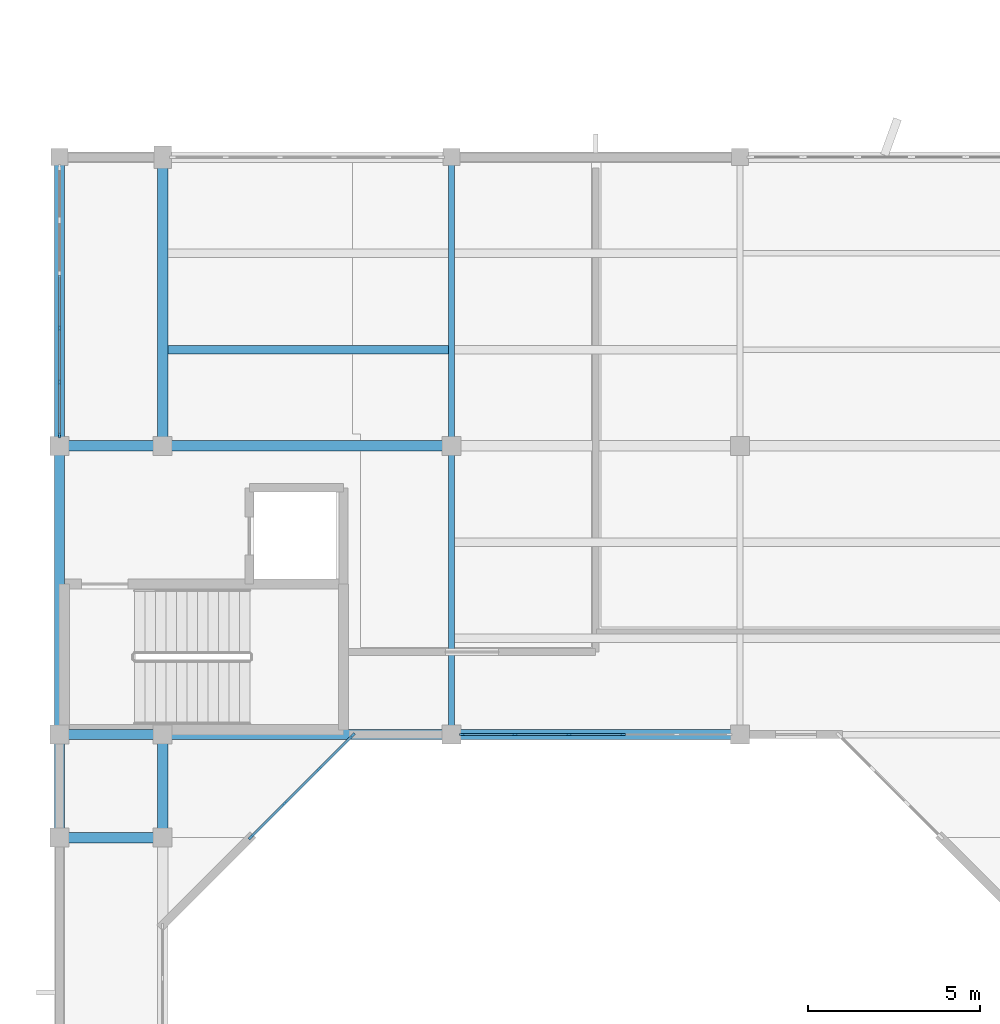
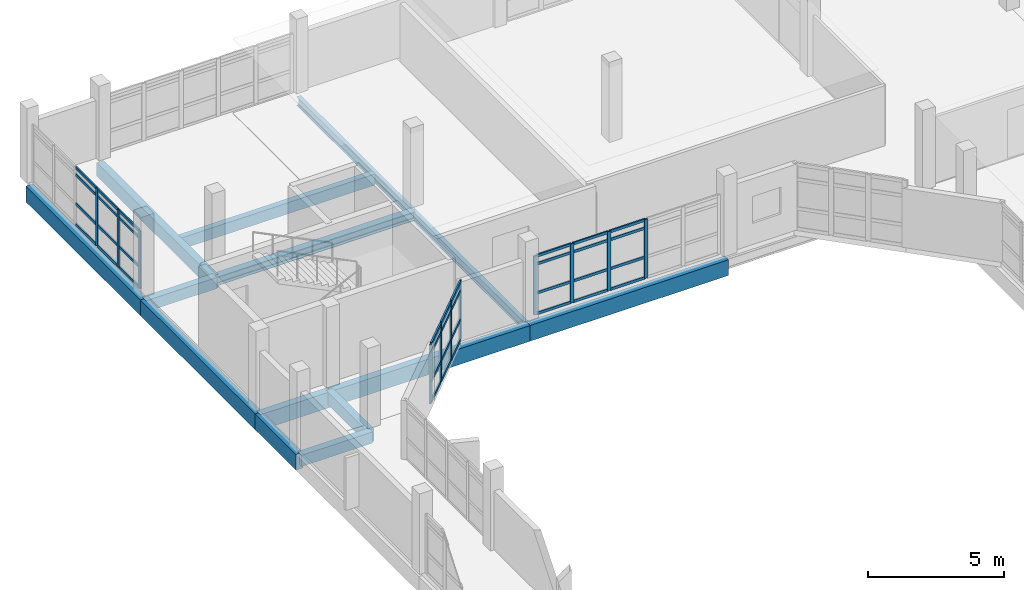
# One storey, part 15 of 51: 47 members, 14 beams, 3 elements without a shape of their own.
"""IFC4 building model written with IfcOpenShell, lengths in metres."""

from ifc_helpers import new_model, si_unit, direction, frame, origin, origin_2d, place, context, subcontext, project, spatial, rectangle, i_section, extrude, material, material_profile, profile_set, type_object, element, aggregate, save


model = new_model("IFC4")

# Units and contexts
model_context = context("Model", 3, precision=1e-05, world=origin(), true_north=direction((0.0, 1.0)))
body_context = subcontext(model_context, "Body", "Model", "MODEL_VIEW")
ifc_project = project(units=[si_unit("LENGTHUNIT", "METRE"), si_unit("AREAUNIT", "SQUARE_METRE"), si_unit("VOLUMEUNIT", "CUBIC_METRE"), si_unit("PLANEANGLEUNIT", "RADIAN"), si_unit("MASSUNIT", "GRAM", prefix="KILO")], contexts=[model_context])

# Site, building, storey
site_placement = place(None, origin())
site = spatial("IfcSite", under=ifc_project, at=site_placement, CompositionType="ELEMENT")
building_placement = place(site_placement, origin())
building = spatial("IfcBuilding", under=site, at=building_placement, Name="Vanh Quang Courtyard School", CompositionType="ELEMENT")
storey_placement = place(building_placement, frame((0.0, 0.0, 11.39990234375)))
storey = spatial("IfcBuildingStorey", under=building, at=storey_placement, Name="L03", CompositionType="ELEMENT", Elevation=11.39990234375)

# Beams
ifc_material_1 = material(Name="Concrete C35/45", Category="concrete")
ifc_material_profile_1 = material_profile(ifc_material_1, rectangle(XDim=0.300048828125, YDim=0.5, at=origin_2d()), Name="RC-BM 300x500")
ifc_profile_set_1 = profile_set([ifc_material_profile_1], Name="Concrete C35/45")
beam_type_1 = type_object("IfcBeamType", Name="BM-RC-300x500", PredefinedType="BEAM", material=ifc_profile_set_1)
for number, where, z_axis, x_axis, name in (
    (1, (37.800048828125, 68.39990234375, -0.5498046875), (1.0, 0.0, 0.0), (0.0, 1.0, 0.0), "Beam B-08 (L03)"),
    (2, (37.800048828125, 79.800048828125, -0.5498046875), (1.0, 0.0, 0.0), (0.0, 1.0, 0.0), "Beam B-08 (L03)"),
):
    element("IfcBeam", number, at=place(storey_placement, frame(where, z_axis=z_axis, x_axis=x_axis)), inside=storey, type_object=beam_type_1, Name=name, PredefinedType="BEAM", context=body_context, shape_type="SweptSolid", body=[
        extrude(rectangle(XDim=0.300048828125, YDim=0.5, at=origin_2d()), origin(), (0.0, 0.0, 1.0), 3.0),
    ])
ifc_material_profile_2 = material_profile(ifc_material_1, rectangle(XDim=0.300048828125, YDim=0.550048828125, at=origin_2d()), Name="RC-BM 300x550")
ifc_profile_set_2 = profile_set([ifc_material_profile_2], Name="Concrete C35/45")
beam_type_2 = type_object("IfcBeamType", Name="BM-RC-300x550", PredefinedType="BEAM", material=ifc_profile_set_2)
beam_1_placement = place(storey_placement, frame((40.800048828125, 68.39990234375, -0.574951171875), z_axis=(0.0, 1.0, 0.0), x_axis=(-1.0, 0.0, 0.0)))
element("IfcBeam", 3, at=beam_1_placement, inside=storey, type_object=beam_type_2, Name="Beam B-07 (L03)", PredefinedType="BEAM", context=body_context, shape_type="SweptSolid", body=[
    extrude(rectangle(XDim=0.300048828125, YDim=0.550048828125, at=origin_2d()), origin(), (0.0, 0.0, 1.0), 3.0),
])
ifc_material_profile_3 = material_profile(ifc_material_1, rectangle(XDim=0.300048828125, YDim=0.60009765625, at=origin_2d()), Name="RC-BM 300x600")
ifc_profile_set_3 = profile_set([ifc_material_profile_3], Name="Concrete C35/45")
beam_type_3 = type_object("IfcBeamType", Name="BM-RC-300x600", PredefinedType="BEAM", material=ifc_profile_set_3)
beam_2_placement = place(storey_placement, frame((40.800048828125, 79.800048828125, -0.599853515625), z_axis=(0.0, 1.0, 0.0), x_axis=(-1.0, 0.0, 0.0)))
element("IfcBeam", 4, at=beam_2_placement, inside=storey, type_object=beam_type_3, Name="Beam B-06 (L03)", PredefinedType="BEAM", context=body_context, shape_type="SweptSolid", body=[
    extrude(rectangle(XDim=0.300048828125, YDim=0.60009765625, at=origin_2d()), origin(), (0.0, 0.0, 1.0), 8.39990234375),
])
ifc_material_profile_4 = material_profile(ifc_material_1, rectangle(XDim=0.300048828125, YDim=0.699951171875, at=origin_2d()), Name="RC-SP 300x700")
ifc_profile_set_4 = profile_set([ifc_material_profile_4], Name="Concrete C35/45")
beam_type_4 = type_object("IfcBeamType", Name="BM-SP-300x700", PredefinedType="SPANDREL", material=ifc_profile_set_4)
beam_3_placement = place(storey_placement, frame((37.800048828125, 71.39990234375, -0.64990234375), z_axis=(1.0, 0.0, 0.0), x_axis=(0.0, 1.0, 0.0)))
element("IfcBeam", 5, at=beam_3_placement, inside=storey, type_object=beam_type_4, Name="Beam BS-01 (L03)", PredefinedType="SPANDREL", context=body_context, shape_type="SweptSolid", body=[
    extrude(rectangle(XDim=0.300048828125, YDim=0.699951171875, at=origin_2d()), origin(), (0.0, 0.0, 1.0), 3.0),
])
beam_4_placement = place(storey_placement, frame((40.800048828125, 71.39990234375, -0.64990234375), z_axis=(1.0, 0.0, 0.0), x_axis=(0.0, 1.0, 0.0)))
element("IfcBeam", 6, at=beam_4_placement, inside=storey, type_object=beam_type_4, Name="Beam BS-01 (L03)", PredefinedType="SPANDREL", context=body_context, shape_type="SweptSolid", body=[
    extrude(rectangle(XDim=0.300048828125, YDim=0.699951171875, at=origin_2d()), origin(), (0.0, 0.0, 1.0), 8.39990234375),
])
beam_5_placement = place(storey_placement, frame((49.199951171875, 71.39990234375, -0.64990234375), z_axis=(1.0, 0.0, 0.0), x_axis=(0.0, 1.0, 0.0)))
element("IfcBeam", 7, at=beam_5_placement, inside=storey, type_object=beam_type_4, Name="Beam BS-01 (L03)", PredefinedType="SPANDREL", context=body_context, shape_type="SweptSolid", body=[
    extrude(rectangle(XDim=0.300048828125, YDim=0.699951171875, at=origin_2d()), origin(), (0.0, 0.0, 1.0), 8.400146484375),
])
beam_6_placement = place(storey_placement, frame((37.800048828125, 68.39990234375, -0.64990234375), z_axis=(0.0, 1.0, 0.0), x_axis=(-1.0, 0.0, 0.0)))
element("IfcBeam", 8, at=beam_6_placement, inside=storey, type_object=beam_type_4, Name="Beam BS-01 (L03)", PredefinedType="SPANDREL", context=body_context, shape_type="SweptSolid", body=[
    extrude(rectangle(XDim=0.300048828125, YDim=0.699951171875, at=origin_2d()), origin(), (0.0, 0.0, 1.0), 3.0),
])
beam_7_placement = place(storey_placement, frame((37.800048828125, 71.39990234375, -0.64990234375), z_axis=(0.0, 1.0, 0.0), x_axis=(-1.0, 0.0, 0.0)))
element("IfcBeam", 9, at=beam_7_placement, inside=storey, type_object=beam_type_4, Name="Beam BS-01 (L03)", PredefinedType="SPANDREL", context=body_context, shape_type="SweptSolid", body=[
    extrude(rectangle(XDim=0.300048828125, YDim=0.699951171875, at=origin_2d()), origin(), (0.0, 0.0, 1.0), 8.400146484375),
])
beam_8_placement = place(storey_placement, frame((37.800048828125, 79.800048828125, -0.64990234375), z_axis=(0.0, 1.0, 0.0), x_axis=(-1.0, 0.0, 0.0)))
element("IfcBeam", 10, at=beam_8_placement, inside=storey, type_object=beam_type_4, Name="Beam BS-01 (L03)", PredefinedType="SPANDREL", context=body_context, shape_type="SweptSolid", body=[
    extrude(rectangle(XDim=0.300048828125, YDim=0.699951171875, at=origin_2d()), origin(), (0.0, 0.0, 1.0), 8.39990234375),
])
ifc_material_2 = material(Name="Structural steel EN 10025-2 S355J2", Category="steel")
ifc_material_profile_5 = material_profile(ifc_material_2, i_section(OverallWidth=0.300048828125, OverallDepth=0.389892578125, WebThickness=0.010986328125, FlangeThickness=0.01904296875, FilletRadius=0.027099609375, at=origin_2d()), Name="HEA 400")
ifc_profile_set_5 = profile_set([ifc_material_profile_5], Name="Structural steel EN 10025-2 S355J2")
beam_type_5 = type_object("IfcBeamType", Name="BM-STL-HEA400", PredefinedType="BEAM", material=ifc_profile_set_5)
beam_9_placement = place(storey_placement, frame((40.800048828125, 79.800048828125, -0.494873046875), z_axis=(1.0, 0.0, 0.0), x_axis=(0.0, 1.0, 0.0)))
element("IfcBeam", 11, at=beam_9_placement, inside=storey, type_object=beam_type_5, Name="Beam SB-08 (L03)", PredefinedType="BEAM", context=body_context, shape_type="SweptSolid", body=[
    extrude(i_section(OverallWidth=0.300048828125, OverallDepth=0.389892578125, WebThickness=0.010986328125, FlangeThickness=0.01904296875, FilletRadius=0.027099609375, at=origin_2d()), origin(), (0.0, 0.0, 1.0), 8.39990234375),
])
ifc_material_profile_6 = material_profile(ifc_material_2, i_section(OverallWidth=0.179931640625, OverallDepth=0.39990234375, WebThickness=0.008544921875, FlangeThickness=0.013427734375, FilletRadius=0.02099609375, at=origin_2d()), Name="IPE 400")
ifc_profile_set_6 = profile_set([ifc_material_profile_6], Name="Structural steel EN 10025-2 S355J2")
beam_type_6 = type_object("IfcBeamType", Name="BM-STL-IPE400", PredefinedType="BEAM", material=ifc_profile_set_6)
beam_10_placement = place(storey_placement, frame((49.199951171875, 71.39990234375, -0.5), z_axis=(0.0, 1.0, 0.0), x_axis=(-1.0, 0.0, 0.0)))
element("IfcBeam", 12, at=beam_10_placement, inside=storey, type_object=beam_type_6, Name="Beam SB-05 (L03)", PredefinedType="BEAM", context=body_context, shape_type="SweptSolid", body=[
    extrude(i_section(OverallWidth=0.179931640625, OverallDepth=0.39990234375, WebThickness=0.008544921875, FlangeThickness=0.013427734375, FilletRadius=0.02099609375, at=origin_2d()), origin(), (0.0, 0.0, 1.0), 8.400146484375),
])
beam_11_placement = place(storey_placement, frame((49.199951171875, 79.800048828125, -0.5), z_axis=(0.0, 1.0, 0.0), x_axis=(-1.0, 0.0, 0.0)))
element("IfcBeam", 13, at=beam_11_placement, inside=storey, type_object=beam_type_6, Name="Beam SB-05 (L03)", PredefinedType="BEAM", context=body_context, shape_type="SweptSolid", body=[
    extrude(i_section(OverallWidth=0.179931640625, OverallDepth=0.39990234375, WebThickness=0.008544921875, FlangeThickness=0.013427734375, FilletRadius=0.02099609375, at=origin_2d()), origin(), (0.0, 0.0, 1.0), 8.39990234375),
])

# Curtain wall, members
ifc_material_3 = material(Name="Thermally broken aluminium unitised curtain wall", Category="aluminium")
curtain_wall_type_1 = type_object("IfcCurtainWallType", Name="CW-SYS-19", PredefinedType="NOTDEFINED", material=ifc_material_3)
curtain_wall_1_placement = place(storey_placement, origin())
curtain_wall_1 = element("IfcCurtainWall", 14, at=curtain_wall_1_placement, inside=storey, type_object=curtain_wall_type_1, Name="Curtain Wall CW-19 (L03)", PredefinedType="NOTDEFINED")
ifc_material_4 = material(Name="Anodised aluminium 6063-T6", Category="aluminium")
ifc_material_profile_7 = material_profile(ifc_material_4, rectangle(XDim=0.06005859375, YDim=0.159912109375, at=origin_2d()), Name="ALU-MUL 60x160")
ifc_profile_set_7 = profile_set([ifc_material_profile_7], Name="Anodised aluminium 6063-T6")
member_type_1 = type_object("IfcMemberType", Name="CW-MUL-60x160", PredefinedType="MULLION", material=ifc_profile_set_7)
member_1_placement = place(storey_placement, frame((37.800048828125, 80.113037109375, 0.0), z_axis=(0.0, 0.0, 1.0), x_axis=(-1.0, 0.0, 0.0)))
member_1 = element("IfcMember", 15, at=member_1_placement, type_object=member_type_1, Name="CW-19 mullion 1", PredefinedType="MULLION", context=body_context, shape_type="SweptSolid", body=[
    extrude(rectangle(XDim=0.06005859375, YDim=0.159912109375, at=origin_2d()), origin(), (0.0, 0.0, 1.0), 2.580078125),
])
member_2_placement = place(storey_placement, frame((37.800048828125, 81.65478515625, 0.0), z_axis=(0.0, 0.0, 1.0), x_axis=(-1.0, 0.0, 0.0)))
member_2 = element("IfcMember", 16, at=member_2_placement, type_object=member_type_1, Name="CW-19 mullion 2", PredefinedType="MULLION", context=body_context, shape_type="SweptSolid", body=[
    extrude(rectangle(XDim=0.06005859375, YDim=0.159912109375, at=origin_2d()), origin(), (0.0, 0.0, 1.0), 2.580078125),
])
member_3_placement = place(storey_placement, frame((37.800048828125, 83.2265625, 0.0), z_axis=(0.0, 0.0, 1.0), x_axis=(-1.0, 0.0, 0.0)))
member_3 = element("IfcMember", 17, at=member_3_placement, type_object=member_type_1, Name="CW-19 mullion 3", PredefinedType="MULLION", context=body_context, shape_type="SweptSolid", body=[
    extrude(rectangle(XDim=0.06005859375, YDim=0.159912109375, at=origin_2d()), origin(), (0.0, 0.0, 1.0), 2.580078125),
])

curtain_wall_type_2 = type_object("IfcCurtainWallType", Name="CW-SYS-24", PredefinedType="NOTDEFINED", material=ifc_material_3)
curtain_wall_2_placement = place(storey_placement, origin())
curtain_wall_2 = element("IfcCurtainWall", 18, at=curtain_wall_2_placement, inside=storey, type_object=curtain_wall_type_2, Name="Curtain Wall CW-24 (L03)", PredefinedType="NOTDEFINED")
member_4_placement = place(storey_placement, frame((54.183349609375, 71.39990234375, 0.0), z_axis=(0.0, 0.0, 1.0), x_axis=(0.0, -1.0, 0.0)))
member_4 = element("IfcMember", 19, at=member_4_placement, type_object=member_type_1, Name="CW-24 mullion 3", PredefinedType="MULLION", context=body_context, shape_type="SweptSolid", body=[
    extrude(rectangle(XDim=0.06005859375, YDim=0.159912109375, at=origin_2d()), origin(), (0.0, 0.0, 1.0), 2.64013671875),
])
member_5_placement = place(storey_placement, frame((52.61669921875, 71.39990234375, 0.0), z_axis=(0.0, 0.0, 1.0), x_axis=(0.0, -1.0, 0.0)))
member_5 = element("IfcMember", 20, at=member_5_placement, type_object=member_type_1, Name="CW-24 mullion 4", PredefinedType="MULLION", context=body_context, shape_type="SweptSolid", body=[
    extrude(rectangle(XDim=0.06005859375, YDim=0.159912109375, at=origin_2d()), origin(), (0.0, 0.0, 1.0), 2.64013671875),
])
member_6_placement = place(storey_placement, frame((51.0498046875, 71.39990234375, 0.0), z_axis=(0.0, 0.0, 1.0), x_axis=(0.0, -1.0, 0.0)))
member_6 = element("IfcMember", 21, at=member_6_placement, type_object=member_type_1, Name="CW-24 mullion 5", PredefinedType="MULLION", context=body_context, shape_type="SweptSolid", body=[
    extrude(rectangle(XDim=0.06005859375, YDim=0.159912109375, at=origin_2d()), origin(), (0.0, 0.0, 1.0), 2.64013671875),
])
member_7_placement = place(storey_placement, frame((49.512939453125, 71.39990234375, 0.0), z_axis=(0.0, 0.0, 1.0), x_axis=(0.0, -1.0, 0.0)))
member_7 = element("IfcMember", 22, at=member_7_placement, type_object=member_type_1, Name="CW-24 mullion 6", PredefinedType="MULLION", context=body_context, shape_type="SweptSolid", body=[
    extrude(rectangle(XDim=0.06005859375, YDim=0.159912109375, at=origin_2d()), origin(), (0.0, 0.0, 1.0), 2.64013671875),
])

curtain_wall_type_3 = type_object("IfcCurtainWallType", Name="CW-SYS-39", PredefinedType="NOTDEFINED", material=ifc_material_3)
curtain_wall_3_placement = place(storey_placement, origin())
curtain_wall_3 = element("IfcCurtainWall", 23, at=curtain_wall_3_placement, inside=storey, type_object=curtain_wall_type_3, Name="Curtain Wall CW-39 (L03)", PredefinedType="NOTDEFINED")
ifc_material_profile_8 = material_profile(ifc_material_4, rectangle(XDim=0.070068359375, YDim=0.179931640625, at=origin_2d()), Name="ALU-MUL 70x180")
ifc_profile_set_8 = profile_set([ifc_material_profile_8], Name="Anodised aluminium 6063-T6")
member_type_2 = type_object("IfcMemberType", Name="CW-MUL-70x180", PredefinedType="MULLION", material=ifc_profile_set_8)
member_8_placement = place(storey_placement, frame((46.3193359375, 71.375244140625, 0.0), z_axis=(0.0, 0.0, 1.0), x_axis=(0.707106781187, -0.707106781187, 0.0)))
member_8 = element("IfcMember", 24, at=member_8_placement, type_object=member_type_2, Name="CW-39 mullion 1", PredefinedType="MULLION", context=body_context, shape_type="SweptSolid", body=[
    extrude(rectangle(XDim=0.070068359375, YDim=0.179931640625, at=origin_2d()), origin(), (0.0, 0.0, 1.0), 2.64013671875),
])
member_9_placement = place(storey_placement, frame((45.343994140625, 70.39990234375, 0.0), z_axis=(0.0, 0.0, 1.0), x_axis=(0.707106781187, -0.707106781187, 0.0)))
member_9 = element("IfcMember", 25, at=member_9_placement, type_object=member_type_2, Name="CW-39 mullion 2", PredefinedType="MULLION", context=body_context, shape_type="SweptSolid", body=[
    extrude(rectangle(XDim=0.070068359375, YDim=0.179931640625, at=origin_2d()), origin(), (0.0, 0.0, 1.0), 2.64013671875),
])
member_10_placement = place(storey_placement, frame((44.343994140625, 69.39990234375, 0.0), z_axis=(0.0, 0.0, 1.0), x_axis=(0.707106781187, -0.707106781187, 0.0)))
member_10 = element("IfcMember", 26, at=member_10_placement, type_object=member_type_2, Name="CW-39 mullion 3", PredefinedType="MULLION", context=body_context, shape_type="SweptSolid", body=[
    extrude(rectangle(XDim=0.070068359375, YDim=0.179931640625, at=origin_2d()), origin(), (0.0, 0.0, 1.0), 2.64013671875),
])
member_11_placement = place(storey_placement, frame((43.36865234375, 68.4248046875, 0.0), z_axis=(0.0, 0.0, 1.0), x_axis=(0.707106781187, -0.707106781187, 0.0)))
member_11 = element("IfcMember", 27, at=member_11_placement, type_object=member_type_2, Name="CW-39 mullion 4", PredefinedType="MULLION", context=body_context, shape_type="SweptSolid", body=[
    extrude(rectangle(XDim=0.070068359375, YDim=0.179931640625, at=origin_2d()), origin(), (0.0, 0.0, 1.0), 2.64013671875),
])

# Member
ifc_material_profile_9 = material_profile(ifc_material_4, rectangle(XDim=0.06005859375, YDim=0.1201171875, at=origin_2d()), Name="ALU-TRN 60x120")
ifc_profile_set_9 = profile_set([ifc_material_profile_9], Name="Anodised aluminium 6063-T6")
member_type_3 = type_object("IfcMemberType", Name="CW-TRN-60x120", PredefinedType="USERDEFINED", material=ifc_profile_set_9)
member_12_placement = place(storey_placement, frame((37.800048828125, 80.14306640625, 0.030029296875), z_axis=(0.0, 1.0, 0.0), x_axis=(-1.0, 0.0, 0.0)))
member_12 = element("IfcMember", 28, at=member_12_placement, type_object=member_type_3, Name="CW-19 transom 1.1", ObjectType="TRANSOM", PredefinedType="USERDEFINED", context=body_context, shape_type="SweptSolid", body=[
    extrude(rectangle(XDim=0.06005859375, YDim=0.1201171875, at=origin_2d()), origin(), (0.0, 0.0, 1.0), 1.481689453125),
])

member_13_placement = place(storey_placement, frame((37.800048828125, 80.14306640625, 0.9501953125), z_axis=(0.0, 1.0, 0.0), x_axis=(-1.0, 0.0, 0.0)))
member_13 = element("IfcMember", 29, at=member_13_placement, type_object=member_type_3, Name="CW-19 transom 1.2", ObjectType="TRANSOM", PredefinedType="USERDEFINED", context=body_context, shape_type="SweptSolid", body=[
    extrude(rectangle(XDim=0.06005859375, YDim=0.1201171875, at=origin_2d()), origin(), (0.0, 0.0, 1.0), 1.481689453125),
])

member_14_placement = place(storey_placement, frame((37.800048828125, 80.14306640625, 2.25), z_axis=(0.0, 1.0, 0.0), x_axis=(-1.0, 0.0, 0.0)))
member_14 = element("IfcMember", 30, at=member_14_placement, type_object=member_type_3, Name="CW-19 transom 1.3", ObjectType="TRANSOM", PredefinedType="USERDEFINED", context=body_context, shape_type="SweptSolid", body=[
    extrude(rectangle(XDim=0.06005859375, YDim=0.1201171875, at=origin_2d()), origin(), (0.0, 0.0, 1.0), 1.481689453125),
])

member_15_placement = place(storey_placement, frame((37.800048828125, 80.14306640625, 2.550048828125), z_axis=(0.0, 1.0, 0.0), x_axis=(-1.0, 0.0, 0.0)))
member_15 = element("IfcMember", 31, at=member_15_placement, type_object=member_type_3, Name="CW-19 transom 1.4", ObjectType="TRANSOM", PredefinedType="USERDEFINED", context=body_context, shape_type="SweptSolid", body=[
    extrude(rectangle(XDim=0.06005859375, YDim=0.1201171875, at=origin_2d()), origin(), (0.0, 0.0, 1.0), 1.481689453125),
])

member_16_placement = place(storey_placement, frame((37.800048828125, 81.684814453125, 0.030029296875), z_axis=(0.0, 1.0, 0.0), x_axis=(-1.0, 0.0, 0.0)))
member_16 = element("IfcMember", 32, at=member_16_placement, type_object=member_type_3, Name="CW-19 transom 2.1", ObjectType="TRANSOM", PredefinedType="USERDEFINED", context=body_context, shape_type="SweptSolid", body=[
    extrude(rectangle(XDim=0.06005859375, YDim=0.1201171875, at=origin_2d()), origin(), (0.0, 0.0, 1.0), 1.51171875),
])

member_17_placement = place(storey_placement, frame((37.800048828125, 81.684814453125, 0.9501953125), z_axis=(0.0, 1.0, 0.0), x_axis=(-1.0, 0.0, 0.0)))
member_17 = element("IfcMember", 33, at=member_17_placement, type_object=member_type_3, Name="CW-19 transom 2.2", ObjectType="TRANSOM", PredefinedType="USERDEFINED", context=body_context, shape_type="SweptSolid", body=[
    extrude(rectangle(XDim=0.06005859375, YDim=0.1201171875, at=origin_2d()), origin(), (0.0, 0.0, 1.0), 1.51171875),
])

member_18_placement = place(storey_placement, frame((37.800048828125, 81.684814453125, 2.25), z_axis=(0.0, 1.0, 0.0), x_axis=(-1.0, 0.0, 0.0)))
member_18 = element("IfcMember", 34, at=member_18_placement, type_object=member_type_3, Name="CW-19 transom 2.3", ObjectType="TRANSOM", PredefinedType="USERDEFINED", context=body_context, shape_type="SweptSolid", body=[
    extrude(rectangle(XDim=0.06005859375, YDim=0.1201171875, at=origin_2d()), origin(), (0.0, 0.0, 1.0), 1.51171875),
])

member_19_placement = place(storey_placement, frame((37.800048828125, 81.684814453125, 2.550048828125), z_axis=(0.0, 1.0, 0.0), x_axis=(-1.0, 0.0, 0.0)))
member_19 = element("IfcMember", 35, at=member_19_placement, type_object=member_type_3, Name="CW-19 transom 2.4", ObjectType="TRANSOM", PredefinedType="USERDEFINED", context=body_context, shape_type="SweptSolid", body=[
    extrude(rectangle(XDim=0.06005859375, YDim=0.1201171875, at=origin_2d()), origin(), (0.0, 0.0, 1.0), 1.51171875),
])

member_20_placement = place(storey_placement, frame((37.800048828125, 83.256591796875, 0.030029296875), z_axis=(0.0, 1.0, 0.0), x_axis=(-1.0, 0.0, 0.0)))
member_20 = element("IfcMember", 36, at=member_20_placement, type_object=member_type_3, Name="CW-19 transom 3.1", ObjectType="TRANSOM", PredefinedType="USERDEFINED", context=body_context, shape_type="SweptSolid", body=[
    extrude(rectangle(XDim=0.06005859375, YDim=0.1201171875, at=origin_2d()), origin(), (0.0, 0.0, 1.0), 1.51171875),
])

member_21_placement = place(storey_placement, frame((37.800048828125, 83.256591796875, 0.9501953125), z_axis=(0.0, 1.0, 0.0), x_axis=(-1.0, 0.0, 0.0)))
member_21 = element("IfcMember", 37, at=member_21_placement, type_object=member_type_3, Name="CW-19 transom 3.2", ObjectType="TRANSOM", PredefinedType="USERDEFINED", context=body_context, shape_type="SweptSolid", body=[
    extrude(rectangle(XDim=0.06005859375, YDim=0.1201171875, at=origin_2d()), origin(), (0.0, 0.0, 1.0), 1.51171875),
])

member_22_placement = place(storey_placement, frame((37.800048828125, 83.256591796875, 2.25), z_axis=(0.0, 1.0, 0.0), x_axis=(-1.0, 0.0, 0.0)))
member_22 = element("IfcMember", 38, at=member_22_placement, type_object=member_type_3, Name="CW-19 transom 3.3", ObjectType="TRANSOM", PredefinedType="USERDEFINED", context=body_context, shape_type="SweptSolid", body=[
    extrude(rectangle(XDim=0.06005859375, YDim=0.1201171875, at=origin_2d()), origin(), (0.0, 0.0, 1.0), 1.51171875),
])

member_23_placement = place(storey_placement, frame((37.800048828125, 83.256591796875, 2.550048828125), z_axis=(0.0, 1.0, 0.0), x_axis=(-1.0, 0.0, 0.0)))
member_23 = element("IfcMember", 39, at=member_23_placement, type_object=member_type_3, Name="CW-19 transom 3.4", ObjectType="TRANSOM", PredefinedType="USERDEFINED", context=body_context, shape_type="SweptSolid", body=[
    extrude(rectangle(XDim=0.06005859375, YDim=0.1201171875, at=origin_2d()), origin(), (0.0, 0.0, 1.0), 1.51171875),
])

aggregate(curtain_wall_1, [member_1, member_2, member_3, member_12, member_13, member_14, member_15, member_16, member_17, member_18, member_19, member_20, member_21, member_22, member_23])

member_24_placement = place(storey_placement, frame((54.1533203125, 71.39990234375, 0.030029296875), z_axis=(-1.0, 0.0, 0.0), x_axis=(0.0, -1.0, 0.0)))
member_24 = element("IfcMember", 40, at=member_24_placement, type_object=member_type_3, Name="CW-24 transom 3.1", ObjectType="TRANSOM", PredefinedType="USERDEFINED", context=body_context, shape_type="SweptSolid", body=[
    extrude(rectangle(XDim=0.06005859375, YDim=0.1201171875, at=origin_2d()), origin(), (0.0, 0.0, 1.0), 1.5068359375),
])

member_25_placement = place(storey_placement, frame((54.1533203125, 71.39990234375, 0.9501953125), z_axis=(-1.0, 0.0, 0.0), x_axis=(0.0, -1.0, 0.0)))
member_25 = element("IfcMember", 41, at=member_25_placement, type_object=member_type_3, Name="CW-24 transom 3.2", ObjectType="TRANSOM", PredefinedType="USERDEFINED", context=body_context, shape_type="SweptSolid", body=[
    extrude(rectangle(XDim=0.06005859375, YDim=0.1201171875, at=origin_2d()), origin(), (0.0, 0.0, 1.0), 1.5068359375),
])

member_26_placement = place(storey_placement, frame((54.1533203125, 71.39990234375, 2.25), z_axis=(-1.0, 0.0, 0.0), x_axis=(0.0, -1.0, 0.0)))
member_26 = element("IfcMember", 42, at=member_26_placement, type_object=member_type_3, Name="CW-24 transom 3.3", ObjectType="TRANSOM", PredefinedType="USERDEFINED", context=body_context, shape_type="SweptSolid", body=[
    extrude(rectangle(XDim=0.06005859375, YDim=0.1201171875, at=origin_2d()), origin(), (0.0, 0.0, 1.0), 1.5068359375),
])

member_27_placement = place(storey_placement, frame((54.1533203125, 71.39990234375, 2.610107421875), z_axis=(-1.0, 0.0, 0.0), x_axis=(0.0, -1.0, 0.0)))
member_27 = element("IfcMember", 43, at=member_27_placement, type_object=member_type_3, Name="CW-24 transom 3.4", ObjectType="TRANSOM", PredefinedType="USERDEFINED", context=body_context, shape_type="SweptSolid", body=[
    extrude(rectangle(XDim=0.06005859375, YDim=0.1201171875, at=origin_2d()), origin(), (0.0, 0.0, 1.0), 1.5068359375),
])

member_28_placement = place(storey_placement, frame((52.586669921875, 71.39990234375, 0.030029296875), z_axis=(-1.0, 0.0, 0.0), x_axis=(0.0, -1.0, 0.0)))
member_28 = element("IfcMember", 44, at=member_28_placement, type_object=member_type_3, Name="CW-24 transom 4.1", ObjectType="TRANSOM", PredefinedType="USERDEFINED", context=body_context, shape_type="SweptSolid", body=[
    extrude(rectangle(XDim=0.06005859375, YDim=0.1201171875, at=origin_2d()), origin(), (0.0, 0.0, 1.0), 1.5068359375),
])

member_29_placement = place(storey_placement, frame((52.586669921875, 71.39990234375, 0.9501953125), z_axis=(-1.0, 0.0, 0.0), x_axis=(0.0, -1.0, 0.0)))
member_29 = element("IfcMember", 45, at=member_29_placement, type_object=member_type_3, Name="CW-24 transom 4.2", ObjectType="TRANSOM", PredefinedType="USERDEFINED", context=body_context, shape_type="SweptSolid", body=[
    extrude(rectangle(XDim=0.06005859375, YDim=0.1201171875, at=origin_2d()), origin(), (0.0, 0.0, 1.0), 1.5068359375),
])

member_30_placement = place(storey_placement, frame((52.586669921875, 71.39990234375, 2.25), z_axis=(-1.0, 0.0, 0.0), x_axis=(0.0, -1.0, 0.0)))
member_30 = element("IfcMember", 46, at=member_30_placement, type_object=member_type_3, Name="CW-24 transom 4.3", ObjectType="TRANSOM", PredefinedType="USERDEFINED", context=body_context, shape_type="SweptSolid", body=[
    extrude(rectangle(XDim=0.06005859375, YDim=0.1201171875, at=origin_2d()), origin(), (0.0, 0.0, 1.0), 1.5068359375),
])

member_31_placement = place(storey_placement, frame((52.586669921875, 71.39990234375, 2.610107421875), z_axis=(-1.0, 0.0, 0.0), x_axis=(0.0, -1.0, 0.0)))
member_31 = element("IfcMember", 47, at=member_31_placement, type_object=member_type_3, Name="CW-24 transom 4.4", ObjectType="TRANSOM", PredefinedType="USERDEFINED", context=body_context, shape_type="SweptSolid", body=[
    extrude(rectangle(XDim=0.06005859375, YDim=0.1201171875, at=origin_2d()), origin(), (0.0, 0.0, 1.0), 1.5068359375),
])

member_32_placement = place(storey_placement, frame((51.019775390625, 71.39990234375, 0.030029296875), z_axis=(-1.0, 0.0, 0.0), x_axis=(0.0, -1.0, 0.0)))
member_32 = element("IfcMember", 48, at=member_32_placement, type_object=member_type_3, Name="CW-24 transom 5.1", ObjectType="TRANSOM", PredefinedType="USERDEFINED", context=body_context, shape_type="SweptSolid", body=[
    extrude(rectangle(XDim=0.06005859375, YDim=0.1201171875, at=origin_2d()), origin(), (0.0, 0.0, 1.0), 1.476806640625),
])

member_33_placement = place(storey_placement, frame((51.019775390625, 71.39990234375, 0.9501953125), z_axis=(-1.0, 0.0, 0.0), x_axis=(0.0, -1.0, 0.0)))
member_33 = element("IfcMember", 49, at=member_33_placement, type_object=member_type_3, Name="CW-24 transom 5.2", ObjectType="TRANSOM", PredefinedType="USERDEFINED", context=body_context, shape_type="SweptSolid", body=[
    extrude(rectangle(XDim=0.06005859375, YDim=0.1201171875, at=origin_2d()), origin(), (0.0, 0.0, 1.0), 1.476806640625),
])

member_34_placement = place(storey_placement, frame((51.019775390625, 71.39990234375, 2.25), z_axis=(-1.0, 0.0, 0.0), x_axis=(0.0, -1.0, 0.0)))
member_34 = element("IfcMember", 50, at=member_34_placement, type_object=member_type_3, Name="CW-24 transom 5.3", ObjectType="TRANSOM", PredefinedType="USERDEFINED", context=body_context, shape_type="SweptSolid", body=[
    extrude(rectangle(XDim=0.06005859375, YDim=0.1201171875, at=origin_2d()), origin(), (0.0, 0.0, 1.0), 1.476806640625),
])

member_35_placement = place(storey_placement, frame((51.019775390625, 71.39990234375, 2.610107421875), z_axis=(-1.0, 0.0, 0.0), x_axis=(0.0, -1.0, 0.0)))
member_35 = element("IfcMember", 51, at=member_35_placement, type_object=member_type_3, Name="CW-24 transom 5.4", ObjectType="TRANSOM", PredefinedType="USERDEFINED", context=body_context, shape_type="SweptSolid", body=[
    extrude(rectangle(XDim=0.06005859375, YDim=0.1201171875, at=origin_2d()), origin(), (0.0, 0.0, 1.0), 1.476806640625),
])

aggregate(curtain_wall_2, [member_4, member_5, member_6, member_7, member_24, member_25, member_26, member_27, member_28, member_29, member_30, member_31, member_32, member_33, member_34, member_35])

ifc_material_profile_10 = material_profile(ifc_material_4, rectangle(XDim=0.070068359375, YDim=0.139892578125, at=origin_2d()), Name="ALU-TRN 70x140")
ifc_profile_set_10 = profile_set([ifc_material_profile_10], Name="Anodised aluminium 6063-T6")
member_type_4 = type_object("IfcMemberType", Name="CW-TRN-70x140", PredefinedType="USERDEFINED", material=ifc_profile_set_10)
member_36_placement = place(storey_placement, frame((46.29443359375, 71.3505859375, 0.03515625), z_axis=(-0.707106781187, -0.707106781187, 0.0), x_axis=(0.707106781187, -0.707106781187, 0.0)))
member_36 = element("IfcMember", 52, at=member_36_placement, type_object=member_type_4, Name="CW-39 transom 1.1", ObjectType="TRANSOM", PredefinedType="USERDEFINED", context=body_context, shape_type="SweptSolid", body=[
    extrude(rectangle(XDim=0.070068359375, YDim=0.139892578125, at=origin_2d()), origin(), (0.0, 0.0, 1.0), 1.309326171875),
])

member_37_placement = place(storey_placement, frame((46.29443359375, 71.3505859375, 0.9501953125), z_axis=(-0.707106781187, -0.707106781187, 0.0), x_axis=(0.707106781187, -0.707106781187, 0.0)))
member_37 = element("IfcMember", 53, at=member_37_placement, type_object=member_type_4, Name="CW-39 transom 1.2", ObjectType="TRANSOM", PredefinedType="USERDEFINED", context=body_context, shape_type="SweptSolid", body=[
    extrude(rectangle(XDim=0.070068359375, YDim=0.139892578125, at=origin_2d()), origin(), (0.0, 0.0, 1.0), 1.309326171875),
])

member_38_placement = place(storey_placement, frame((46.29443359375, 71.3505859375, 2.25), z_axis=(-0.707106781187, -0.707106781187, 0.0), x_axis=(0.707106781187, -0.707106781187, 0.0)))
member_38 = element("IfcMember", 54, at=member_38_placement, type_object=member_type_4, Name="CW-39 transom 1.3", ObjectType="TRANSOM", PredefinedType="USERDEFINED", context=body_context, shape_type="SweptSolid", body=[
    extrude(rectangle(XDim=0.070068359375, YDim=0.139892578125, at=origin_2d()), origin(), (0.0, 0.0, 1.0), 1.309326171875),
])

member_39_placement = place(storey_placement, frame((46.29443359375, 71.3505859375, 2.60498046875), z_axis=(-0.707106781187, -0.707106781187, 0.0), x_axis=(0.707106781187, -0.707106781187, 0.0)))
member_39 = element("IfcMember", 55, at=member_39_placement, type_object=member_type_4, Name="CW-39 transom 1.4", ObjectType="TRANSOM", PredefinedType="USERDEFINED", context=body_context, shape_type="SweptSolid", body=[
    extrude(rectangle(XDim=0.070068359375, YDim=0.139892578125, at=origin_2d()), origin(), (0.0, 0.0, 1.0), 1.309326171875),
])

member_40_placement = place(storey_placement, frame((45.3193359375, 70.375244140625, 0.03515625), z_axis=(-0.707197581414, -0.707015969298, 0.0), x_axis=(0.707015969298, -0.707197581414, 0.0)))
member_40 = element("IfcMember", 56, at=member_40_placement, type_object=member_type_4, Name="CW-39 transom 2.1", ObjectType="TRANSOM", PredefinedType="USERDEFINED", context=body_context, shape_type="SweptSolid", body=[
    extrude(rectangle(XDim=0.070068359375, YDim=0.139892578125, at=origin_2d()), origin(), (0.0, 0.0, 1.0), 1.34423828125),
])

member_41_placement = place(storey_placement, frame((45.3193359375, 70.375244140625, 0.9501953125), z_axis=(-0.707197581414, -0.707015969298, 0.0), x_axis=(0.707015969298, -0.707197581414, 0.0)))
member_41 = element("IfcMember", 57, at=member_41_placement, type_object=member_type_4, Name="CW-39 transom 2.2", ObjectType="TRANSOM", PredefinedType="USERDEFINED", context=body_context, shape_type="SweptSolid", body=[
    extrude(rectangle(XDim=0.070068359375, YDim=0.139892578125, at=origin_2d()), origin(), (0.0, 0.0, 1.0), 1.34423828125),
])

member_42_placement = place(storey_placement, frame((45.3193359375, 70.375244140625, 2.25), z_axis=(-0.707197581414, -0.707015969298, 0.0), x_axis=(0.707015969298, -0.707197581414, 0.0)))
member_42 = element("IfcMember", 58, at=member_42_placement, type_object=member_type_4, Name="CW-39 transom 2.3", ObjectType="TRANSOM", PredefinedType="USERDEFINED", context=body_context, shape_type="SweptSolid", body=[
    extrude(rectangle(XDim=0.070068359375, YDim=0.139892578125, at=origin_2d()), origin(), (0.0, 0.0, 1.0), 1.34423828125),
])

member_43_placement = place(storey_placement, frame((45.3193359375, 70.375244140625, 2.60498046875), z_axis=(-0.707197581414, -0.707015969298, 0.0), x_axis=(0.707015969298, -0.707197581414, 0.0)))
member_43 = element("IfcMember", 59, at=member_43_placement, type_object=member_type_4, Name="CW-39 transom 2.4", ObjectType="TRANSOM", PredefinedType="USERDEFINED", context=body_context, shape_type="SweptSolid", body=[
    extrude(rectangle(XDim=0.070068359375, YDim=0.139892578125, at=origin_2d()), origin(), (0.0, 0.0, 1.0), 1.34423828125),
])

member_44_placement = place(storey_placement, frame((44.3193359375, 69.375244140625, 0.03515625), z_axis=(-0.707106781187, -0.707106781187, 0.0), x_axis=(0.707106781187, -0.707106781187, 0.0)))
member_44 = element("IfcMember", 60, at=member_44_placement, type_object=member_type_4, Name="CW-39 transom 3.1", ObjectType="TRANSOM", PredefinedType="USERDEFINED", context=body_context, shape_type="SweptSolid", body=[
    extrude(rectangle(XDim=0.070068359375, YDim=0.139892578125, at=origin_2d()), origin(), (0.0, 0.0, 1.0), 1.309326171875),
])

member_45_placement = place(storey_placement, frame((44.3193359375, 69.375244140625, 0.9501953125), z_axis=(-0.707106781187, -0.707106781187, 0.0), x_axis=(0.707106781187, -0.707106781187, 0.0)))
member_45 = element("IfcMember", 61, at=member_45_placement, type_object=member_type_4, Name="CW-39 transom 3.2", ObjectType="TRANSOM", PredefinedType="USERDEFINED", context=body_context, shape_type="SweptSolid", body=[
    extrude(rectangle(XDim=0.070068359375, YDim=0.139892578125, at=origin_2d()), origin(), (0.0, 0.0, 1.0), 1.309326171875),
])

member_46_placement = place(storey_placement, frame((44.3193359375, 69.375244140625, 2.25), z_axis=(-0.707106781187, -0.707106781187, 0.0), x_axis=(0.707106781187, -0.707106781187, 0.0)))
member_46 = element("IfcMember", 62, at=member_46_placement, type_object=member_type_4, Name="CW-39 transom 3.3", ObjectType="TRANSOM", PredefinedType="USERDEFINED", context=body_context, shape_type="SweptSolid", body=[
    extrude(rectangle(XDim=0.070068359375, YDim=0.139892578125, at=origin_2d()), origin(), (0.0, 0.0, 1.0), 1.309326171875),
])

member_47_placement = place(storey_placement, frame((44.3193359375, 69.375244140625, 2.60498046875), z_axis=(-0.707106781187, -0.707106781187, 0.0), x_axis=(0.707106781187, -0.707106781187, 0.0)))
member_47 = element("IfcMember", 63, at=member_47_placement, type_object=member_type_4, Name="CW-39 transom 3.4", ObjectType="TRANSOM", PredefinedType="USERDEFINED", context=body_context, shape_type="SweptSolid", body=[
    extrude(rectangle(XDim=0.070068359375, YDim=0.139892578125, at=origin_2d()), origin(), (0.0, 0.0, 1.0), 1.309326171875),
])

aggregate(curtain_wall_3, [member_8, member_9, member_10, member_11, member_36, member_37, member_38, member_39, member_40, member_41, member_42, member_43, member_44, member_45, member_46, member_47])

# Beam
ifc_material_5 = material(Name="Concrete C30/37", Category="concrete")
ifc_material_profile_11 = material_profile(ifc_material_5, rectangle(XDim=0.25, YDim=0.5, at=origin_2d()), Name="RC-JST 250x500")
ifc_profile_set_11 = profile_set([ifc_material_profile_11], Name="Concrete C30/37")
beam_type_7 = type_object("IfcBeamType", Name="JST-RC-250x500", PredefinedType="JOIST", material=ifc_profile_set_11)
beam_12_placement = place(storey_placement, frame((40.949951171875, 82.60009765625, -0.5498046875), z_axis=(1.0, 0.0, 0.0), x_axis=(0.0, 1.0, 0.0)))
element("IfcBeam", 64, at=beam_12_placement, inside=storey, type_object=beam_type_7, Name="Beam BJ-01 (L03)", PredefinedType="JOIST", context=body_context, shape_type="SweptSolid", body=[
    extrude(rectangle(XDim=0.25, YDim=0.5, at=origin_2d()), origin(), (0.0, 0.0, 1.0), 8.16015625),
])

save(model, "model.ifc")
